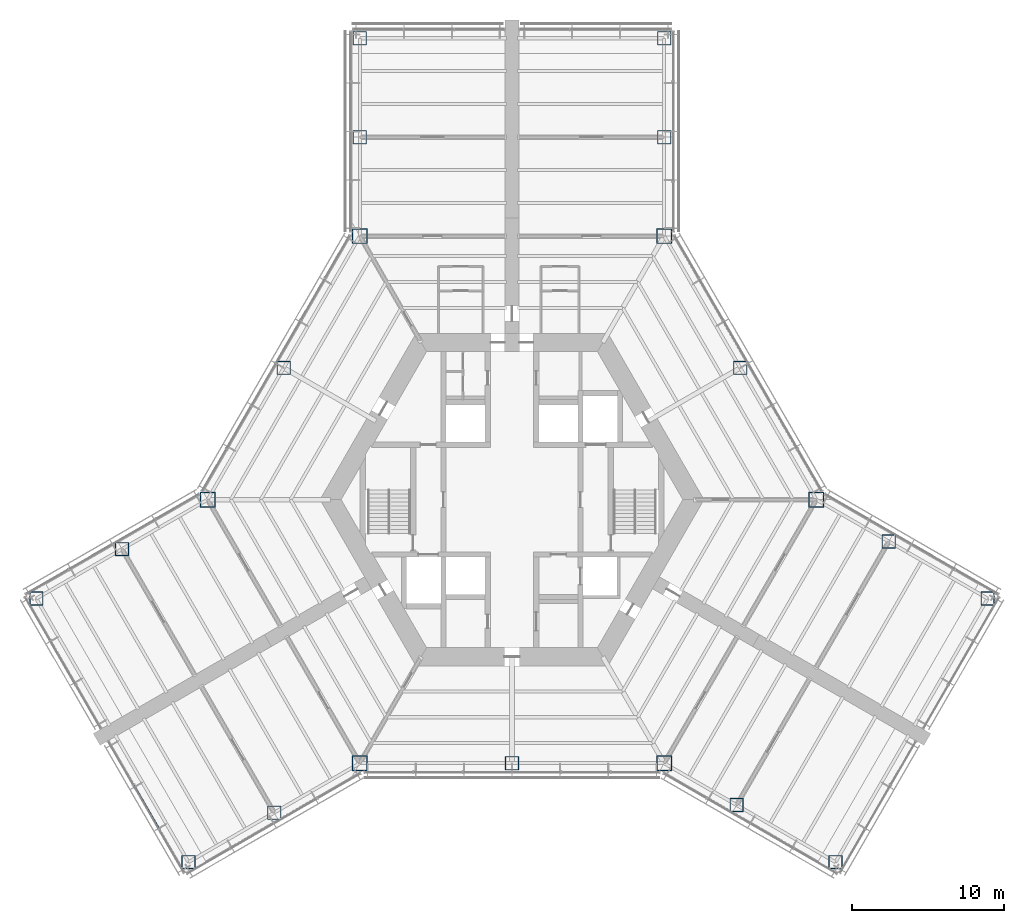
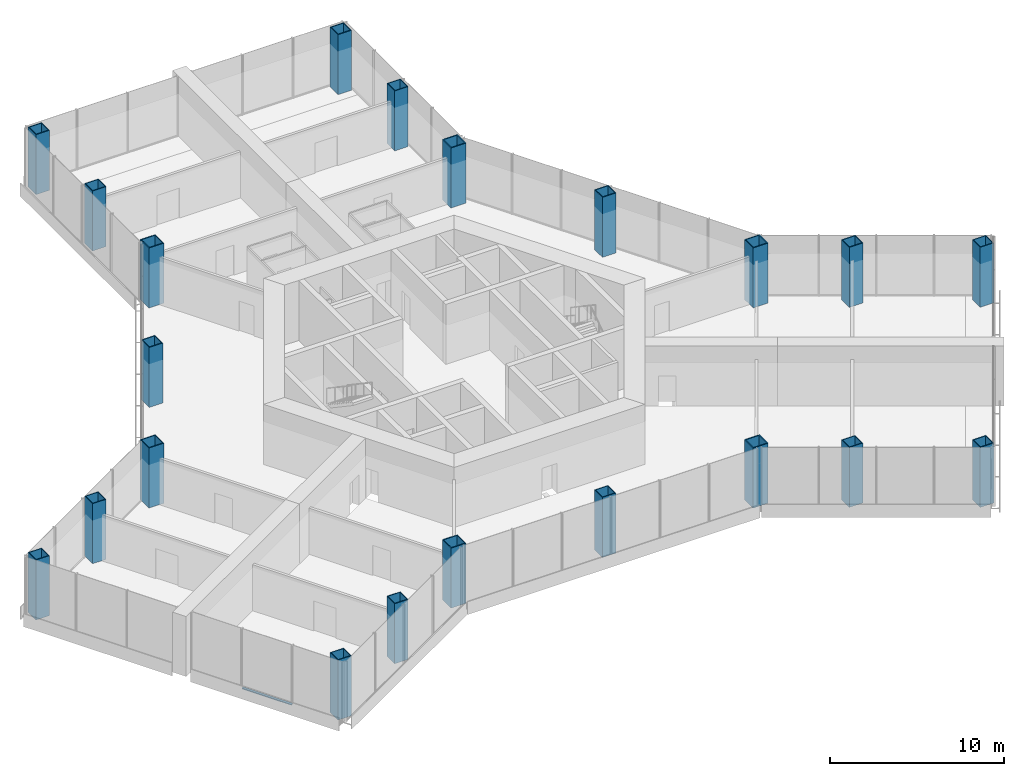
# One storey, part 1 of 15: 21 columns, 1 member, 1 element without a shape of its own.
"""IFC4 building model written with IfcOpenShell, lengths in metres."""

import ifcopenshell
import ifcopenshell.guid

model = None  # the IFC model being written
_history = None  # IfcOwnerHistory: only IFC2X3 demands one
_inside = {}  # id of a spatial element -> (the spatial element, [elements in it])
_under = {}  # id of a project, library or spatial element -> (it, [spatial elements below it])
_declared = {}  # id of a project -> (the project, [libraries it declares])
_typed = {}  # id of a type object -> (the type object, [elements of that type])
_made_of = {}  # id of a material, layer set ... -> (it, [elements and type objects made of it])


def new_model(schema):
    """Start an empty IFC model of exactly this schema.

    Asked for "IFC4X3", IfcOpenShell would pick the latest addendum, in which some entities
    have other attributes; the version numbers below select the first issue.
    IFC2X3 requires an IfcOwnerHistory on every rooted entity: one is made here for all.
    """
    global model, _history
    if schema == "IFC4X3":
        model = ifcopenshell.file(schema_version=(4, 3, 0, 0))
    else:
        model = ifcopenshell.file(schema=schema)
    _inside.clear()
    _under.clear()
    _declared.clear()
    _typed.clear()
    _made_of.clear()
    _history = None
    if model.schema == "IFC2X3":
        org = make("IfcOrganization", Name="unknown")
        user = make(
            "IfcPersonAndOrganization",
            ThePerson=make("IfcPerson", FamilyName="unknown"),
            TheOrganization=org,
        )
        app = make(
            "IfcApplication",
            ApplicationDeveloper=org,
            Version="unknown",
            ApplicationFullName="unknown",
            ApplicationIdentifier="unknown",
        )
        _history = make(
            "IfcOwnerHistory",
            OwningUser=user,
            OwningApplication=app,
            ChangeAction="ADDED",
            CreationDate=0,
        )
    return model


def make(cls, **values):
    """One entity of the class cls with the attributes given. An attribute that is None is left unset."""
    return model.create_entity(
        cls, **{name: value for name, value in values.items() if value is not None}
    )


def rooted(cls, **values):
    """An entity with a GlobalId (a new one), such as an element, a storey or a relation."""
    return make(cls, GlobalId=ifcopenshell.guid.new(), OwnerHistory=_history, **values)


def si_unit(unit_type, name, prefix=None):
    """IfcSIUnit, for example si_unit("LENGTHUNIT", "METRE", prefix="MILLI")."""
    return make("IfcSIUnit", UnitType=unit_type, Prefix=prefix, Name=name)


def assignment(units):
    """IfcUnitAssignment: the units of a project."""
    return None if units is None else make("IfcUnitAssignment", Units=units)


def point(xyz):
    """IfcCartesianPoint."""
    return None if xyz is None else make("IfcCartesianPoint", Coordinates=xyz)


def direction(xyz):
    """IfcDirection."""
    return None if xyz is None else make("IfcDirection", DirectionRatios=xyz)


def frame(location, z_axis=None, x_axis=None):
    """IfcAxis2Placement3D, a coordinate frame: its origin and axes. An axis left out is left unset."""
    return make(
        "IfcAxis2Placement3D",
        Location=point(location),
        Axis=direction(z_axis),
        RefDirection=direction(x_axis),
    )


def frame_2d(location, x_axis=None):
    """IfcAxis2Placement2D, a coordinate frame in the plane: its origin and x axis."""
    return make(
        "IfcAxis2Placement2D", Location=point(location), RefDirection=direction(x_axis)
    )


def origin():
    """The frame at (0, 0, 0) with its axes left unset."""
    return frame((0.0, 0.0, 0.0))


def origin_2d():
    """The frame at (0, 0) in the plane with its x axis left unset."""
    return frame_2d((0.0, 0.0))


def place(relative_to, where):
    """IfcLocalPlacement: puts the frame where relative to a parent placement (None: the world)."""
    return make(
        "IfcLocalPlacement", PlacementRelTo=relative_to, RelativePlacement=where
    )


def context(
    kind, dimensions, precision=None, world=None, true_north=None, identifier=None
):
    """IfcGeometricRepresentationContext, for example the 3D "Model" context."""
    return make(
        "IfcGeometricRepresentationContext",
        ContextIdentifier=identifier,
        ContextType=kind,
        CoordinateSpaceDimension=dimensions,
        Precision=precision,
        WorldCoordinateSystem=world,
        TrueNorth=true_north,
    )


def subcontext(parent, identifier, kind, view, scale=None):
    """IfcGeometricRepresentationSubContext, for example "Body" below "Model"."""
    return make(
        "IfcGeometricRepresentationSubContext",
        ContextIdentifier=identifier,
        ContextType=kind,
        ParentContext=parent,
        TargetScale=scale,
        TargetView=view,
    )


def project(units=None, contexts=None):
    """IfcProject with its units and contexts."""
    return rooted(
        "IfcProject",
        Name="project",
        RepresentationContexts=contexts,
        UnitsInContext=assignment(units),
    )


def spatial(cls, under=None, at=None, **own):
    """A site, building, storey or space (cls), placed at a placement, below another one or the project."""
    s = rooted(cls, ObjectPlacement=at, **own)
    if under is not None:
        _under.setdefault(under.id(), (under, []))[1].append(s)
    return s


def profile(cls, at=None, kind="AREA", **sizes):
    """A parametric profile (cls). Its sizes go by their IFC names, for example OverallWidth=200.0."""
    return make(cls, ProfileType=kind, Position=at, **sizes)


def rectangle(**sizes):
    """IfcRectangleProfileDef."""
    return profile("IfcRectangleProfileDef", **sizes)


def hollow_rectangle(**sizes):
    """IfcRectangleHollowProfileDef."""
    return profile("IfcRectangleHollowProfileDef", **sizes)


def extrude(swept, where, along, depth):
    """IfcExtrudedAreaSolid: the profile swept, set in the frame where, extruded along a direction by depth."""
    return make(
        "IfcExtrudedAreaSolid",
        SweptArea=swept,
        Position=where,
        ExtrudedDirection=direction(along),
        Depth=depth,
    )


def shape(context_of_items, identifier, shape_type, items):
    """IfcShapeRepresentation: the items that make up one representation, for example the "Body"."""
    return make(
        "IfcShapeRepresentation",
        ContextOfItems=context_of_items,
        RepresentationIdentifier=identifier,
        RepresentationType=shape_type,
        Items=items,
    )


def material(Name=None, Category=None):
    """IfcMaterial."""
    return make("IfcMaterial", Name=Name, Category=Category)


def material_profile(
    of_material, cross_section, Name=None, Category=None, Priority=None
):
    """IfcMaterialProfile: a cross section and its material."""
    return make(
        "IfcMaterialProfile",
        Name=Name,
        Material=of_material,
        Profile=cross_section,
        Priority=Priority,
        Category=Category,
    )


def profile_set(profiles, Name=None, composite=None):
    """IfcMaterialProfileSet."""
    return make(
        "IfcMaterialProfileSet",
        Name=Name,
        MaterialProfiles=profiles,
        CompositeProfile=composite,
    )


def made_of(thing, what):
    """Note that an element or type object is made of a material, layer set ...; save() writes the relation."""
    if what is not None:
        _made_of.setdefault(what.id(), (what, []))[1].append(thing)
    return thing


def type_object(cls, material=None, **own):
    """A type object (cls), such as IfcWallType, which elements share."""
    return made_of(rooted(cls, **own), material)


def element(
    cls,
    number,
    at=None,
    inside=None,
    cuts=None,
    type_object=None,
    material=None,
    context=None,
    identifier="Body",
    shape_type=None,
    held_by="IfcProductDefinitionShape",
    body=None,
    shapes=None,
    **own,
):
    """One element of the class cls, such as IfcWall. Its Tag is "e" and its number.

    at: its placement. inside: the storey or other place that contains it. cuts: it is an
    opening in that element (IfcRelVoidsElement). A single representation is given by context,
    identifier, shape_type and body (its items); several are given by shapes. held_by: the class
    of the entity that holds the representations. save() writes the other relations.
    """
    e = rooted(cls, Tag="e%d" % number, ObjectPlacement=at, **own)
    if body is not None:
        shapes = [shape(context, identifier, shape_type, body)]
    if shapes is not None:
        e.Representation = make(held_by, Representations=shapes)
    if inside is not None:
        _inside.setdefault(inside.id(), (inside, []))[1].append(e)
    if cuts is not None:
        rooted(
            "IfcRelVoidsElement", RelatingBuildingElement=cuts, RelatedOpeningElement=e
        )
    if type_object is not None:
        _typed.setdefault(type_object.id(), (type_object, []))[1].append(e)
    return made_of(e, material)


def aggregate(whole, parts):
    """IfcRelAggregates: a whole, such as a stair, and the parts it consists of."""
    return rooted("IfcRelAggregates", RelatingObject=whole, RelatedObjects=parts)


def save(model, path):
    """Write the relations noted so far, then the file.

    IfcRelAggregates (storeys below a building ...), IfcRelContainedInSpatialStructure (elements
    in a storey), IfcRelDefinesByType, IfcRelAssociatesMaterial and IfcRelDeclares: one each for
    every whole, place, type object, material and project.
    """
    for whole, parts in _under.values():
        aggregate(whole, parts)
    for where, things in _inside.values():
        rooted(
            "IfcRelContainedInSpatialStructure",
            RelatedElements=things,
            RelatingStructure=where,
        )
    for kind, things in _typed.values():
        rooted("IfcRelDefinesByType", RelatedObjects=things, RelatingType=kind)
    for what, things in _made_of.values():
        rooted("IfcRelAssociatesMaterial", RelatedObjects=things, RelatingMaterial=what)
    for by, libraries in _declared.values():
        rooted("IfcRelDeclares", RelatingContext=by, RelatedDefinitions=libraries)
    model.write(path)


model = new_model("IFC4")

# Units and contexts
model_context = context("Model", 3, precision=1e-05, world=origin(), true_north=direction((0.0, 1.0)))
body_context = subcontext(model_context, "Body", "Model", "MODEL_VIEW")
ifc_project = project(units=[si_unit("LENGTHUNIT", "METRE"), si_unit("AREAUNIT", "SQUARE_METRE"), si_unit("VOLUMEUNIT", "CUBIC_METRE"), si_unit("PLANEANGLEUNIT", "RADIAN"), si_unit("MASSUNIT", "GRAM", prefix="KILO")], contexts=[model_context])

# Site, building, storey
site_placement = place(None, origin())
site = spatial("IfcSite", under=ifc_project, at=site_placement, CompositionType="ELEMENT")
building_placement = place(site_placement, origin())
building = spatial("IfcBuilding", under=site, at=building_placement, Name="Kasaneha Research Tower", CompositionType="ELEMENT")
storey_placement = place(building_placement, frame((0.0, 0.0, 35.199951171875)))
storey = spatial("IfcBuildingStorey", under=building, at=storey_placement, Name="L09", CompositionType="ELEMENT", Elevation=35.199951171875)

# Columns
ifc_material_1 = material(Name="Steel SN490C", Category="steel")
ifc_material_profile_1 = material_profile(ifc_material_1, hollow_rectangle(XDim=1.0, YDim=1.0, WallThickness=0.06005859375, at=origin_2d()), Name="BOX-1000x1000x60")
ifc_profile_set_1 = profile_set([ifc_material_profile_1], Name="Steel SN490C")
column_type_1 = type_object("IfcColumnType", Name="C1A column BOX-1000x1000x60", PredefinedType="COLUMN", material=ifc_profile_set_1)
for number, where, z_axis, x_axis, name in (
    (1, (20.0, 0.0, 0.0), (0.0, 0.0, 1.0), (1.0, 0.0, 0.0), "Column V0 L09"),
    (2, (10.0, 17.320556640625, 0.0), (0.0, 0.0, 1.0), (1.0, 0.0, 0.0), "Column V1 L09"),
    (3, (-10.0, 17.320556640625, 0.0), (0.0, 0.0, 1.0), (1.0, 0.0, 0.0), "Column V2 L09"),
    (4, (-20.0, 0.0, 0.0), (0.0, 0.0, 1.0), (1.0, 0.0, 0.0), "Column V3 L09"),
    (5, (-10.0, -17.320556640625, 0.0), (0.0, 0.0, 1.0), (1.0, 0.0, 0.0), "Column V4 L09"),
    (6, (10.0, -17.320556640625, 0.0), (0.0, 0.0, 1.0), (1.0, 0.0, 0.0), "Column V5 L09"),
):
    element("IfcColumn", number, at=place(storey_placement, frame(where, z_axis=z_axis, x_axis=x_axis)), inside=storey, type_object=column_type_1, Name=name, PredefinedType="COLUMN", context=body_context, shape_type="SweptSolid", body=[
        extrude(hollow_rectangle(XDim=1.0, YDim=1.0, WallThickness=0.06005859375, at=origin_2d()), origin(), (0.0, 0.0, 1.0), 4.199951171875),
    ])
ifc_material_2 = material(Name="Steel SN490C", Category="steel")
ifc_material_profile_2 = material_profile(ifc_material_2, hollow_rectangle(XDim=0.89990234375, YDim=0.89990234375, WallThickness=0.050048828125, at=origin_2d()), Name="BOX-900x900x50")
ifc_profile_set_2 = profile_set([ifc_material_profile_2], Name="Steel SN490C")
column_type_2 = type_object("IfcColumnType", Name="C1B column BOX-900x900x50", PredefinedType="COLUMN", material=ifc_profile_set_2)
for number, where, z_axis, x_axis, name in (
    (7, (15.0, 8.66015625, 0.0), (0.0, 0.0, 1.0), (1.0, 0.0, 0.0), "Column M030 L09"),
    (8, (-15.0, 8.66015625, 0.0), (0.0, 0.0, 1.0), (1.0, 0.0, 0.0), "Column M150 L09"),
    (9, (0.0, -17.320556640625, 0.0), (0.0, 0.0, 1.0), (1.0, 0.0, 0.0), "Column M270 L09"),
    (10, (10.0, 23.820556640625, 0.0), (0.0, 0.0, 1.0), (1.0, 0.0, 0.0), "Column ASP L09"),
    (11, (10.0, 30.320556640625, 0.0), (0.0, 0.0, 1.0), (1.0, 0.0, 0.0), "Column ATP L09"),
    (12, (-10.0, 23.820556640625, 0.0), (0.0, 0.0, 1.0), (1.0, 0.0, 0.0), "Column ASN L09"),
    (13, (-10.0, 30.320556640625, 0.0), (0.0, 0.0, 1.0), (1.0, 0.0, 0.0), "Column ATN L09"),
    (14, (-25.629150390625, -3.25, 0.0), (0.0, 0.0, 1.0), (1.0, 0.0, 0.0), "Column BSP L09"),
    (15, (-31.25830078125, -6.5, 0.0), (0.0, 0.0, 1.0), (1.0, 0.0, 0.0), "Column BTP L09"),
    (16, (-15.629150390625, -20.570556640625, 0.0), (0.0, 0.0, 1.0), (1.0, 0.0, 0.0), "Column BSN L09"),
    (17, (-21.25830078125, -23.820556640625, 0.0), (0.0, 0.0, 1.0), (1.0, 0.0, 0.0), "Column BTN L09"),
    (18, (14.76318359375, -20.070556640625, 0.0), (0.0, 0.0, 1.0), (1.0, 0.0, 0.0), "Column CSP L09"),
    (19, (21.25830078125, -23.820556640625, 0.0), (0.0, 0.0, 1.0), (1.0, 0.0, 0.0), "Column CTP L09"),
    (20, (24.76318359375, -2.75, 0.0), (0.0, 0.0, 1.0), (1.0, 0.0, 0.0), "Column CSN L09"),
    (21, (31.25830078125, -6.5, 0.0), (0.0, 0.0, 1.0), (1.0, 0.0, 0.0), "Column CTN L09"),
):
    element("IfcColumn", number, at=place(storey_placement, frame(where, z_axis=z_axis, x_axis=x_axis)), inside=storey, type_object=column_type_2, Name=name, PredefinedType="COLUMN", context=body_context, shape_type="SweptSolid", body=[
        extrude(hollow_rectangle(XDim=0.89990234375, YDim=0.89990234375, WallThickness=0.050048828125, at=origin_2d()), origin(), (0.0, 0.0, 1.0), 4.199951171875),
    ])

# Curtain wall, member
ifc_material_3 = material(Name="Glass and aluminium", Category="aluminium")
curtain_wall_type = type_object("IfcCurtainWallType", Name="Dry laboratory curtain wall", PredefinedType="USERDEFINED", material=ifc_material_3)
curtain_wall_placement = place(storey_placement, origin())
curtain_wall = element("IfcCurtainWall", 22, at=curtain_wall_placement, inside=storey, type_object=curtain_wall_type, Name="CW-L2 L09 run 15a", ObjectType="UNITISED CURTAIN WALL", PredefinedType="USERDEFINED")
ifc_material_4 = material(Name="Aluminium 6063-T6", Category="aluminium")
ifc_material_profile_3 = material_profile(ifc_material_4, rectangle(XDim=0.14990234375, YDim=0.06494140625, at=origin_2d()), Name="CW-L2 transom 150x65")
ifc_profile_set_3 = profile_set([ifc_material_profile_3], Name="Aluminium 6063-T6")
member_type = type_object("IfcMemberType", Name="CW-L2 transom", PredefinedType="USERDEFINED", material=ifc_profile_set_3)
member_placement = place(storey_placement, frame((-24.86181640625, -18.779296875, 0.032470703125), z_axis=(0.50000765355, -0.86602098496, 0.0), x_axis=(0.86602098496, 0.50000765355, 0.0)))
member = element("IfcMember", 23, at=member_placement, type_object=member_type, Name="CW-L2 transom 2", ObjectType="TRANSOM", PredefinedType="USERDEFINED", context=body_context, shape_type="SweptSolid", body=[
    extrude(rectangle(XDim=0.14990234375, YDim=0.06494140625, at=origin_2d()), origin(), (0.0, 0.0, 1.0), 3.28515625),
])
aggregate(curtain_wall, [member])

save(model, "model.ifc")
